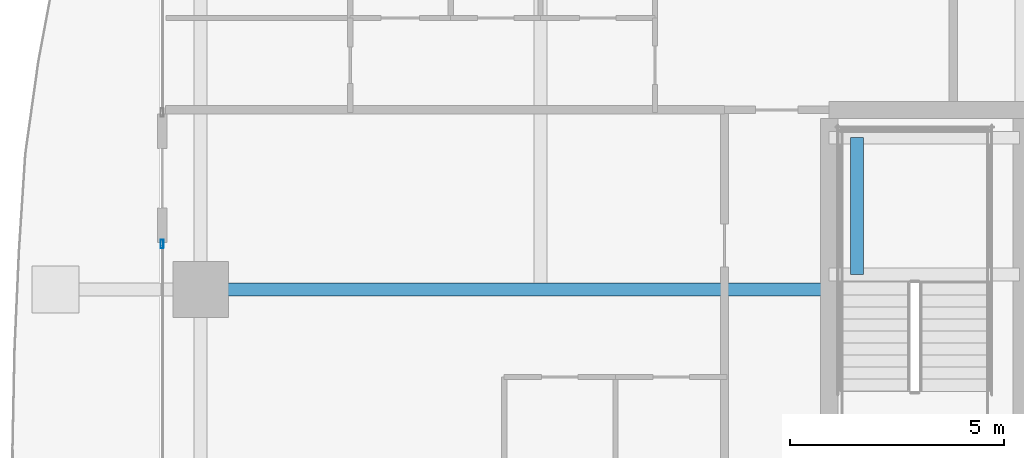
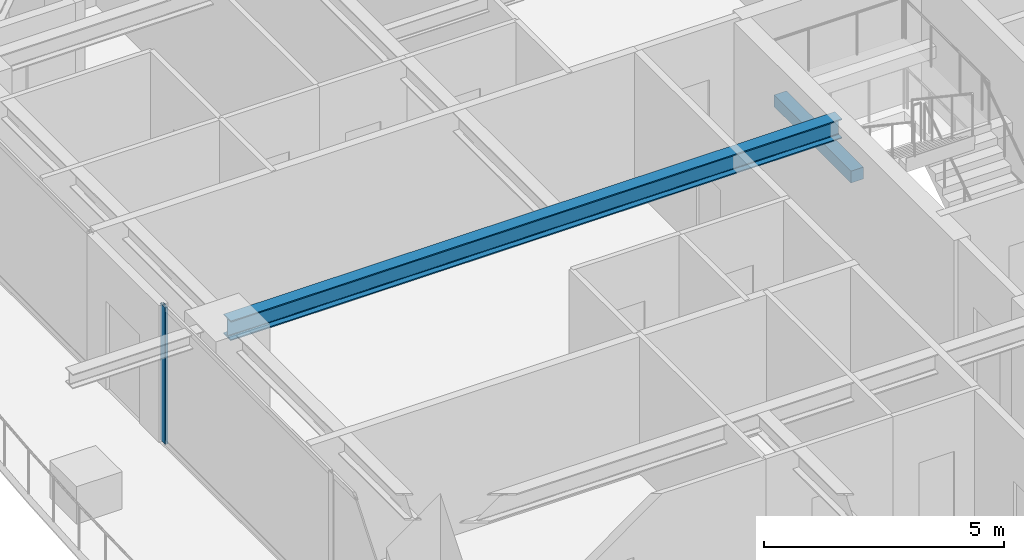
# One storey, part 10 of 37: 2 beams, 1 member, 1 element without a shape of its own.
"""IFC4 building model written with IfcOpenShell, lengths in metres."""

from ifc_helpers import new_model, si_unit, direction, frame, origin, origin_2d, place, context, subcontext, project, spatial, rectangle, hollow_rectangle, i_section, extrude, source, transform, mapped, material, layer, layer_set, material_profile, profile_set, type_object, element, aggregate, save


model = new_model("IFC4")

# Units and contexts
model_context = context("Model", 3, precision=1e-05, world=origin(), true_north=direction((0.0, 1.0)))
body_context = subcontext(model_context, "Body", "Model", "MODEL_VIEW")
ifc_project = project(units=[si_unit("LENGTHUNIT", "METRE"), si_unit("AREAUNIT", "SQUARE_METRE"), si_unit("VOLUMEUNIT", "CUBIC_METRE"), si_unit("PLANEANGLEUNIT", "RADIAN"), si_unit("MASSUNIT", "GRAM", prefix="KILO")], contexts=[model_context])

# Site, building, storey
site_placement = place(None, origin())
site = spatial("IfcSite", under=ifc_project, at=site_placement, CompositionType="ELEMENT")
building_placement = place(site_placement, origin())
building = spatial("IfcBuilding", under=site, at=building_placement, Name="Serunith Strait Residences", CompositionType="ELEMENT")
storey_placement = place(building_placement, frame((0.0, 0.0, 153.89990234375)))
storey = spatial("IfcBuildingStorey", under=building, at=storey_placement, Name="L38", CompositionType="ELEMENT", Elevation=153.89990234375)

# Beams
ifc_material_1 = material(Name="Steel S355J2", Category="steel")
ifc_material_profile_1 = material_profile(ifc_material_1, i_section(OverallWidth=0.300048828125, OverallDepth=0.5, WebThickness=0.014404296875, FlangeThickness=0.028076171875, FilletRadius=0.027099609375, at=origin_2d()), Name="HEB 500")
ifc_profile_set_1 = profile_set([ifc_material_profile_1], Name="Steel S355J2")
beam_type_1 = type_object("IfcBeamType", Name="BM-HEB500", PredefinedType="BEAM", material=ifc_profile_set_1)
shared_shape_1 = source(origin(), body_context, "Body", "SweptSolid", [
    extrude(i_section(OverallWidth=0.300048828125, OverallDepth=0.5, WebThickness=0.014404296875, FlangeThickness=0.028076171875, FilletRadius=0.027099609375, at=origin_2d()), origin(), (0.0, 0.0, 1.0), 14.699951171875),
])
beam_1_placement = place(storey_placement, frame((23.39990234375, 29.39990234375, 3.237060546875), z_axis=(-1.0, 0.0, 0.0), x_axis=(0.0, -1.0, 0.0)))
element("IfcBeam", 1, at=beam_1_placement, inside=storey, type_object=beam_type_1, Name="L38 Primary Floor Girder TC-W3", PredefinedType="BEAM", context=body_context, shape_type="MappedRepresentation", body=[
    mapped(shared_shape_1, transform((0.0, 0.0, 0.0), scale=1.0)),
])
ifc_material_2 = material(Name="Concrete C60/75", Category="concrete")
ifc_material_profile_2 = material_profile(ifc_material_2, rectangle(XDim=0.300048828125, YDim=0.300048828125, at=origin_2d()), Name="RC 300x300")
ifc_profile_set_2 = profile_set([ifc_material_profile_2], Name="Concrete C60/75")
beam_type_2 = type_object("IfcBeamType", Name="BM-LAND-300x300", PredefinedType="BEAM", material=ifc_profile_set_2)
shared_shape_2 = source(origin(), body_context, "Body", "SweptSolid", [
    extrude(rectangle(XDim=0.300048828125, YDim=0.300048828125, at=origin_2d()), origin(), (0.0, 0.0, 1.0), 3.199951171875),
])
beam_2_placement = place(storey_placement, frame((24.050048828125, 29.75, 1.525146484375), z_axis=(0.0, 1.0, 0.0), x_axis=(-1.0, 0.0, 0.0)))
element("IfcBeam", 2, at=beam_2_placement, inside=storey, type_object=beam_type_2, Name="L38 ST-1 Landing Transverse Tie Beam", PredefinedType="BEAM", context=body_context, shape_type="MappedRepresentation", body=[
    mapped(shared_shape_2, transform((0.0, 0.0, 0.0), scale=1.0)),
])

# Curtain wall, member
ifc_material_3 = material(Name="Pale-Champagne Anodised Aluminium", Category="aluminium")
ifc_layer = layer(ifc_material_3, 0.199951171875, Name="Pale-Champagne Anodised Aluminium")
ifc_layer_set = layer_set([ifc_layer], Name="Pale-Champagne Anodised Aluminium")
curtain_wall_type = type_object("IfcCurtainWallType", Name="CW-SYS2", PredefinedType="NOTDEFINED", material=ifc_layer_set)
curtain_wall_placement = place(storey_placement, origin())
curtain_wall = element("IfcCurtainWall", 3, at=curtain_wall_placement, inside=storey, type_object=curtain_wall_type, Name="L38 W Unitised Fritted Curtain Wall", PredefinedType="NOTDEFINED")
ifc_material_profile_3 = material_profile(ifc_material_3, hollow_rectangle(XDim=0.070068359375, YDim=0.199951171875, WallThickness=0.00390625, InnerFilletRadius=0.006103515625, OuterFilletRadius=0.010009765625, at=origin_2d()), Name="ALU 200x70x4")
ifc_profile_set_3 = profile_set([ifc_material_profile_3], Name="Pale-Champagne Anodised Aluminium")
member_type = type_object("IfcMemberType", Name="CW-SYS2-MULL", PredefinedType="MULLION", material=ifc_profile_set_3)
shared_shape_3 = source(origin(), body_context, "Body", "SweptSolid", [
    extrude(hollow_rectangle(XDim=0.070068359375, YDim=0.199951171875, WallThickness=0.00390625, InnerFilletRadius=0.006103515625, OuterFilletRadius=0.010009765625, at=origin_2d()), origin(), (0.0, 0.0, 1.0), 3.47509765625),
])
member_placement = place(storey_placement, frame((7.800048828125, 30.465087890625, 0.0), z_axis=(0.0, 0.0, 1.0), x_axis=(1.0, 0.0, 0.0)))
member = element("IfcMember", 4, at=member_placement, type_object=member_type, Name="CW-2 mullion 1", PredefinedType="MULLION", context=body_context, shape_type="MappedRepresentation", body=[
    mapped(shared_shape_3, transform((0.0, 0.0, 0.0), scale=1.0)),
])
aggregate(curtain_wall, [member])

save(model, "model.ifc")
